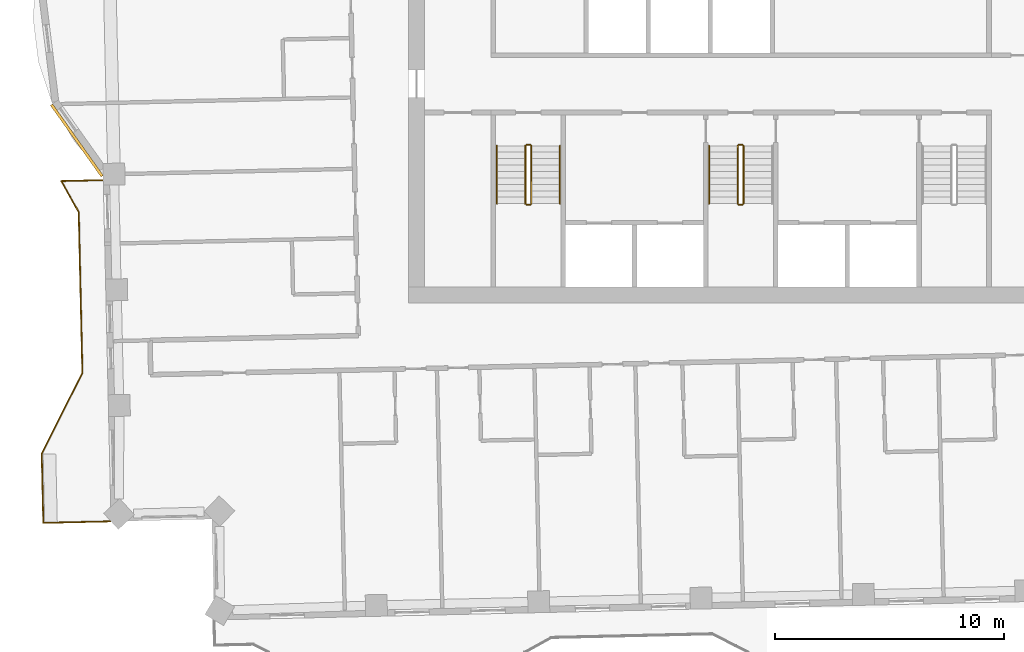
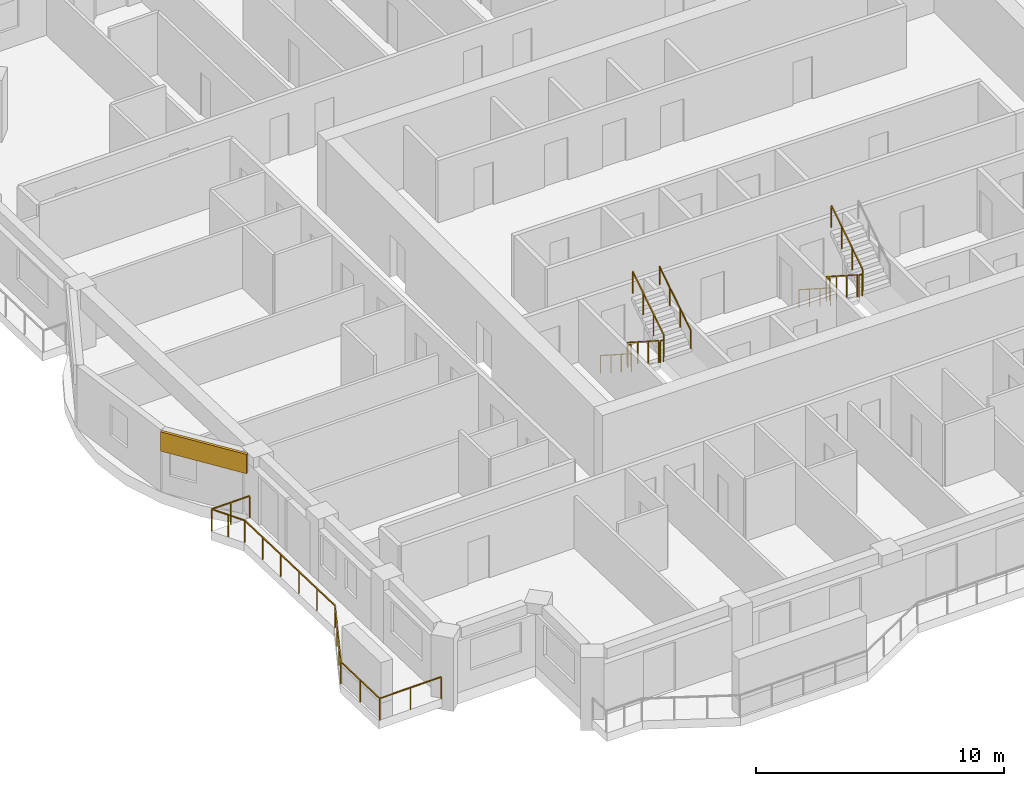
# One storey, part 15 of 18: 12 railings, 1 covering.
"""IFC4 building model written with IfcOpenShell, lengths in metres."""

from ifc_helpers import new_model, si_unit, direction, frame, frame_2d, origin, origin_2d, place, context, subcontext, project, spatial, rectangle, circle, extrude, material, layer, layer_set, type_object, element, save


model = new_model("IFC4")

# Units and contexts
model_context = context("Model", 3, precision=1e-05, world=origin(), true_north=direction((0.0, 1.0)))
body_context = subcontext(model_context, "Body", "Model", "MODEL_VIEW")
ifc_project = project(units=[si_unit("LENGTHUNIT", "METRE"), si_unit("AREAUNIT", "SQUARE_METRE"), si_unit("VOLUMEUNIT", "CUBIC_METRE"), si_unit("PLANEANGLEUNIT", "RADIAN"), si_unit("MASSUNIT", "GRAM", prefix="KILO")], contexts=[model_context])

# Site, building, storey
site_placement = place(None, origin())
site = spatial("IfcSite", under=ifc_project, at=site_placement, CompositionType="ELEMENT")
building_placement = place(site_placement, origin())
building = spatial("IfcBuilding", under=site, at=building_placement, Name="Mangrove Gate Tower", CompositionType="ELEMENT")
storey_placement = place(building_placement, frame((0.0, 0.0, 287.10009765625)))
storey = spatial("IfcBuildingStorey", under=building, at=storey_placement, Name="L73", CompositionType="ELEMENT", Elevation=287.10009765625)

# Railings
ifc_material_1 = material(Name="Stainless steel grade 316 with laminated glass infill", Category="steel")
railing_type_1 = type_object("IfcRailingType", Name="Balcony guard 1100", PredefinedType="GUARDRAIL", material=ifc_material_1)
railing_1_placement = place(storey_placement, frame((-27.839111328125, -6.14501953125, 0.0)))
element("IfcRailing", 1, at=railing_1_placement, inside=storey, type_object=railing_type_1, Name="GUARD L73 W2", PredefinedType="GUARDRAIL", context=body_context, shape_type="SweptSolid", body=[
    extrude(rectangle(XDim=0.048095703125, YDim=0.048095703125, at=origin_2d()), frame((0.0, 0.0, 1.076171875), z_axis=(-0.999736374059, -0.02296045261, 0.0), x_axis=(0.02296045261, -0.999736374059, 0.0)), (0.0, 0.0, 1.0), 1.786376953125),
    extrude(rectangle(XDim=0.048095703125, YDim=0.048095703125, at=origin_2d()), frame((-1.785888671875, -0.041015625, 1.076171875), z_axis=(0.487708700745, -0.873006427936, 0.0), x_axis=(0.873006427936, 0.487708700745, 0.0)), (0.0, 0.0, 1.0), 1.554443359375),
    extrude(rectangle(XDim=0.048095703125, YDim=0.048095703125, at=origin_2d()), frame((-1.02783203125, -1.39794921875, 1.076171875), z_axis=(0.022702393474, -0.999742267452, 0.0), x_axis=(0.999742267452, 0.022702393474, 0.0)), (0.0, 0.0, 1.0), 7.000732421875),
    extrude(rectangle(XDim=0.048095703125, YDim=0.048095703125, at=origin_2d()), frame((-0.868896484375, -8.39697265625, 1.076171875), z_axis=(-0.447312255532, -0.894377854182, 0.0), x_axis=(0.894377854182, -0.447312255532, 0.0)), (0.0, 0.0, 1.0), 3.959228515625),
    extrude(rectangle(XDim=0.048095703125, YDim=0.048095703125, at=origin_2d()), frame((-2.639892578125, -11.93798828125, 1.076171875), z_axis=(0.023031986991, -0.999734728603, 0.0), x_axis=(0.999734728603, 0.023031986991, 0.0)), (0.0, 0.0, 1.0), 2.999755859375),
    extrude(rectangle(XDim=0.048095703125, YDim=0.048095703125, at=origin_2d()), frame((-2.57080078125, -14.93701171875, 1.076171875), z_axis=(0.999743349437, 0.022654696127, 0.0), x_axis=(-0.022654696127, 0.999743349437, 0.0)), (0.0, 0.0, 1.0), 2.90966796875),
    extrude(rectangle(XDim=0.0419921875, YDim=0.0419921875, at=origin_2d()), origin(), (0.0, 0.0, 1.0), 1.052001953125),
    extrude(rectangle(XDim=0.0419921875, YDim=0.0419921875, at=origin_2d()), frame((-0.89306640625, -0.0205078125, 0.0)), (0.0, 0.0, 1.0), 1.052001953125),
    extrude(rectangle(XDim=0.0419921875, YDim=0.0419921875, at=origin_2d()), frame((-1.785888671875, -0.041015625, 0.0)), (0.0, 0.0, 1.0), 1.052001953125),
    extrude(rectangle(XDim=0.0419921875, YDim=0.0419921875, at=origin_2d()), frame((-1.40673828125, -0.719482421875, 0.0)), (0.0, 0.0, 1.0), 1.052001953125),
    extrude(rectangle(XDim=0.0419921875, YDim=0.0419921875, at=origin_2d()), frame((-1.02783203125, -1.39794921875, 0.0)), (0.0, 0.0, 1.0), 1.052001953125),
    extrude(rectangle(XDim=0.0419921875, YDim=0.0419921875, at=origin_2d()), frame((-0.99609375, -2.7978515625, 0.0)), (0.0, 0.0, 1.0), 1.052001953125),
    extrude(rectangle(XDim=0.0419921875, YDim=0.0419921875, at=origin_2d()), frame((-0.96435546875, -4.197509765625, 0.0)), (0.0, 0.0, 1.0), 1.052001953125),
    extrude(rectangle(XDim=0.0419921875, YDim=0.0419921875, at=origin_2d()), frame((-0.932373046875, -5.597412109375, 0.0)), (0.0, 0.0, 1.0), 1.052001953125),
    extrude(rectangle(XDim=0.0419921875, YDim=0.0419921875, at=origin_2d()), frame((-0.900634765625, -6.9970703125, 0.0)), (0.0, 0.0, 1.0), 1.052001953125),
    extrude(rectangle(XDim=0.0419921875, YDim=0.0419921875, at=origin_2d()), frame((-0.868896484375, -8.39697265625, 0.0)), (0.0, 0.0, 1.0), 1.052001953125),
    extrude(rectangle(XDim=0.0419921875, YDim=0.0419921875, at=origin_2d()), frame((-1.459228515625, -9.577392578125, 0.0)), (0.0, 0.0, 1.0), 1.052001953125),
    extrude(rectangle(XDim=0.0419921875, YDim=0.0419921875, at=origin_2d()), frame((-2.049560546875, -10.757568359375, 0.0)), (0.0, 0.0, 1.0), 1.052001953125),
    extrude(rectangle(XDim=0.0419921875, YDim=0.0419921875, at=origin_2d()), frame((-2.639892578125, -11.93798828125, 0.0)), (0.0, 0.0, 1.0), 1.052001953125),
    extrude(rectangle(XDim=0.0419921875, YDim=0.0419921875, at=origin_2d()), frame((-2.60546875, -13.4375, 0.0)), (0.0, 0.0, 1.0), 1.052001953125),
    extrude(rectangle(XDim=0.0419921875, YDim=0.0419921875, at=origin_2d()), frame((-2.57080078125, -14.93701171875, 0.0)), (0.0, 0.0, 1.0), 1.052001953125),
    extrude(rectangle(XDim=0.0419921875, YDim=0.0419921875, at=origin_2d()), frame((-1.1162109375, -14.904052734375, 0.0)), (0.0, 0.0, 1.0), 1.052001953125),
    extrude(rectangle(XDim=0.0419921875, YDim=0.0419921875, at=origin_2d()), frame((0.338134765625, -14.87109375, 0.0)), (0.0, 0.0, 1.0), 1.052001953125),
])
ifc_material_2 = material(Name="Stainless steel 316", Category="steel")
railing_type_2 = type_object("IfcRailingType", Name="Core stair guard 1100", PredefinedType="GUARDRAIL", material=ifc_material_2)
railing_2_placement = place(storey_placement, frame((-9.39990234375, -4.64990234375, 0.179931640625)))
element("IfcRailing", 2, at=railing_2_placement, inside=storey, type_object=railing_type_2, Name="L73 ST1 stair guard 1", PredefinedType="GUARDRAIL", context=body_context, shape_type="SweptSolid", body=[
    extrude(rectangle(XDim=0.048095703125, YDim=0.048095703125, at=origin_2d()), frame((0.0, 0.0, 1.076171875), z_axis=(0.0, -0.841199657755, 0.540724639528), x_axis=(1.0, 0.0, 0.0)), (0.0, 0.0, 1.0), 2.995849609375),
    extrude(rectangle(XDim=0.0419921875, YDim=0.0419921875, at=origin_2d()), origin(), (0.0, 0.0, 1.0), 1.052001953125),
    extrude(rectangle(XDim=0.0419921875, YDim=0.0419921875, at=origin_2d()), frame((0.0, -0.840087890625, 0.5400390625)), (0.0, 0.0, 1.0), 1.052001953125),
    extrude(rectangle(XDim=0.0419921875, YDim=0.0419921875, at=origin_2d()), frame((0.0, -1.679931640625, 1.079833984375)), (0.0, 0.0, 1.0), 1.052001953125),
    extrude(rectangle(XDim=0.0419921875, YDim=0.0419921875, at=origin_2d()), frame((0.0, -2.52001953125, 1.619873046875)), (0.0, 0.0, 1.0), 1.052001953125),
])
railing_3_placement = place(storey_placement, frame((-9.35009765625, -7.219970703125, 1.7998046875)))
element("IfcRailing", 3, at=railing_3_placement, inside=storey, type_object=railing_type_2, Name="L73 ST1 stair guard 2", PredefinedType="GUARDRAIL", context=body_context, shape_type="SweptSolid", body=[
    extrude(rectangle(XDim=0.048095703125, YDim=0.048095703125, at=origin_2d()), frame((0.0, 0.0, 1.076171875), z_axis=(1.0, 0.0, 0.0), x_axis=(0.0, 1.0, 0.0)), (0.0, 0.0, 1.0), 0.150146484375),
    extrude(rectangle(XDim=0.0419921875, YDim=0.0419921875, at=origin_2d()), origin(), (0.0, 0.0, 1.0), 1.052001953125),
    extrude(rectangle(XDim=0.0419921875, YDim=0.0419921875, at=origin_2d()), frame((0.150146484375, 0.0, 0.0)), (0.0, 0.0, 1.0), 1.052001953125),
])
railing_4_placement = place(storey_placement, frame((-9.14990234375, -7.169921875, 1.97998046875)))
element("IfcRailing", 4, at=railing_4_placement, inside=storey, type_object=railing_type_2, Name="L73 ST1 stair guard 3", PredefinedType="GUARDRAIL", context=body_context, shape_type="SweptSolid", body=[
    extrude(rectangle(XDim=0.048095703125, YDim=0.048095703125, at=origin_2d()), frame((0.0, 0.0, 1.076171875), z_axis=(0.0, 0.841199657755, 0.540724639528), x_axis=(-1.0, 0.0, 0.0)), (0.0, 0.0, 1.0), 2.995849609375),
    extrude(rectangle(XDim=0.0419921875, YDim=0.0419921875, at=origin_2d()), origin(), (0.0, 0.0, 1.0), 1.052001953125),
    extrude(rectangle(XDim=0.0419921875, YDim=0.0419921875, at=origin_2d()), frame((0.0, 0.840087890625, 0.5400390625)), (0.0, 0.0, 1.0), 1.052001953125),
    extrude(rectangle(XDim=0.0419921875, YDim=0.0419921875, at=origin_2d()), frame((0.0, 1.679931640625, 1.079833984375)), (0.0, 0.0, 1.0), 1.052001953125),
    extrude(rectangle(XDim=0.0419921875, YDim=0.0419921875, at=origin_2d()), frame((0.0, 2.52001953125, 1.619873046875)), (0.0, 0.0, 1.0), 1.052001953125),
])
railing_5_placement = place(storey_placement, frame((-9.35009765625, -4.60009765625, 0.0)))
element("IfcRailing", 5, at=railing_5_placement, inside=storey, type_object=railing_type_2, Name="L73 ST1 stair guard 4", PredefinedType="GUARDRAIL", context=body_context, shape_type="SweptSolid", body=[
    extrude(rectangle(XDim=0.048095703125, YDim=0.048095703125, at=origin_2d()), frame((0.0, 0.0, 1.076171875), z_axis=(1.0, 0.0, 0.0), x_axis=(0.0, 1.0, 0.0)), (0.0, 0.0, 1.0), 0.150146484375),
    extrude(rectangle(XDim=0.0419921875, YDim=0.0419921875, at=origin_2d()), origin(), (0.0, 0.0, 1.0), 1.052001953125),
    extrude(rectangle(XDim=0.0419921875, YDim=0.0419921875, at=origin_2d()), frame((0.150146484375, 0.0, 0.0)), (0.0, 0.0, 1.0), 1.052001953125),
])
railing_6_placement = place(storey_placement, frame((-0.14990234375, -4.64990234375, 0.179931640625)))
element("IfcRailing", 6, at=railing_6_placement, inside=storey, type_object=railing_type_2, Name="L73 ST2 stair guard 1", PredefinedType="GUARDRAIL", context=body_context, shape_type="SweptSolid", body=[
    extrude(rectangle(XDim=0.048095703125, YDim=0.048095703125, at=origin_2d()), frame((0.0, 0.0, 1.076171875), z_axis=(0.0, -0.841199657755, 0.540724639528), x_axis=(1.0, 0.0, 0.0)), (0.0, 0.0, 1.0), 2.995849609375),
    extrude(rectangle(XDim=0.0419921875, YDim=0.0419921875, at=origin_2d()), origin(), (0.0, 0.0, 1.0), 1.052001953125),
    extrude(rectangle(XDim=0.0419921875, YDim=0.0419921875, at=origin_2d()), frame((0.0, -0.840087890625, 0.5400390625)), (0.0, 0.0, 1.0), 1.052001953125),
    extrude(rectangle(XDim=0.0419921875, YDim=0.0419921875, at=origin_2d()), frame((0.0, -1.679931640625, 1.079833984375)), (0.0, 0.0, 1.0), 1.052001953125),
    extrude(rectangle(XDim=0.0419921875, YDim=0.0419921875, at=origin_2d()), frame((0.0, -2.52001953125, 1.619873046875)), (0.0, 0.0, 1.0), 1.052001953125),
])
railing_7_placement = place(storey_placement, frame((-0.10009765625, -7.219970703125, 1.7998046875)))
element("IfcRailing", 7, at=railing_7_placement, inside=storey, type_object=railing_type_2, Name="L73 ST2 stair guard 2", PredefinedType="GUARDRAIL", context=body_context, shape_type="SweptSolid", body=[
    extrude(rectangle(XDim=0.048095703125, YDim=0.048095703125, at=origin_2d()), frame((0.0, 0.0, 1.076171875), z_axis=(1.0, 0.0, 0.0), x_axis=(0.0, 1.0, 0.0)), (0.0, 0.0, 1.0), 0.150146484375),
    extrude(rectangle(XDim=0.0419921875, YDim=0.0419921875, at=origin_2d()), origin(), (0.0, 0.0, 1.0), 1.052001953125),
    extrude(rectangle(XDim=0.0419921875, YDim=0.0419921875, at=origin_2d()), frame((0.150146484375, 0.0, 0.0)), (0.0, 0.0, 1.0), 1.052001953125),
])
railing_8_placement = place(storey_placement, frame((0.10009765625, -7.169921875, 1.97998046875)))
element("IfcRailing", 8, at=railing_8_placement, inside=storey, type_object=railing_type_2, Name="L73 ST2 stair guard 3", PredefinedType="GUARDRAIL", context=body_context, shape_type="SweptSolid", body=[
    extrude(rectangle(XDim=0.048095703125, YDim=0.048095703125, at=origin_2d()), frame((0.0, 0.0, 1.076171875), z_axis=(0.0, 0.841199657755, 0.540724639528), x_axis=(-1.0, 0.0, 0.0)), (0.0, 0.0, 1.0), 2.995849609375),
    extrude(rectangle(XDim=0.0419921875, YDim=0.0419921875, at=origin_2d()), origin(), (0.0, 0.0, 1.0), 1.052001953125),
    extrude(rectangle(XDim=0.0419921875, YDim=0.0419921875, at=origin_2d()), frame((0.0, 0.840087890625, 0.5400390625)), (0.0, 0.0, 1.0), 1.052001953125),
    extrude(rectangle(XDim=0.0419921875, YDim=0.0419921875, at=origin_2d()), frame((0.0, 1.679931640625, 1.079833984375)), (0.0, 0.0, 1.0), 1.052001953125),
    extrude(rectangle(XDim=0.0419921875, YDim=0.0419921875, at=origin_2d()), frame((0.0, 2.52001953125, 1.619873046875)), (0.0, 0.0, 1.0), 1.052001953125),
])
railing_9_placement = place(storey_placement, frame((-0.10009765625, -4.60009765625, 0.0)))
element("IfcRailing", 9, at=railing_9_placement, inside=storey, type_object=railing_type_2, Name="L73 ST2 stair guard 4", PredefinedType="GUARDRAIL", context=body_context, shape_type="SweptSolid", body=[
    extrude(rectangle(XDim=0.048095703125, YDim=0.048095703125, at=origin_2d()), frame((0.0, 0.0, 1.076171875), z_axis=(1.0, 0.0, 0.0), x_axis=(0.0, 1.0, 0.0)), (0.0, 0.0, 1.0), 0.150146484375),
    extrude(rectangle(XDim=0.0419921875, YDim=0.0419921875, at=origin_2d()), origin(), (0.0, 0.0, 1.0), 1.052001953125),
    extrude(rectangle(XDim=0.0419921875, YDim=0.0419921875, at=origin_2d()), frame((0.150146484375, 0.0, 0.0)), (0.0, 0.0, 1.0), 1.052001953125),
])
ifc_material_3 = material(Name="Stainless steel 316", Category="steel")
railing_type_3 = type_object("IfcRailingType", Name="Core stair handrail 900", PredefinedType="HANDRAIL", material=ifc_material_3)
railing_10_placement = place(storey_placement, frame((-10.64990234375, -4.64990234375, 0.179931640625)))
element("IfcRailing", 10, at=railing_10_placement, inside=storey, type_object=railing_type_3, Name="L73 ST1 stair handrail 1", PredefinedType="HANDRAIL", context=body_context, shape_type="SweptSolid", body=[
    extrude(circle(Radius=0.02392578125, at=origin_2d()), frame((0.0, 0.0, 0.8759765625), z_axis=(0.0, -0.841199657755, 0.540724639528), x_axis=(1.0, 0.0, 0.0)), (0.0, 0.0, 1.0), 2.995849609375),
    extrude(circle(Radius=0.02099609375, at=origin_2d()), origin(), (0.0, 0.0, 1.0), 0.851806640625),
    extrude(circle(Radius=0.02099609375, at=origin_2d()), frame((0.0, -0.840087890625, 0.5400390625)), (0.0, 0.0, 1.0), 0.851806640625),
    extrude(circle(Radius=0.02099609375, at=origin_2d()), frame((0.0, -1.679931640625, 1.079833984375)), (0.0, 0.0, 1.0), 0.851806640625),
    extrude(circle(Radius=0.02099609375, at=origin_2d()), frame((0.0, -2.52001953125, 1.619873046875)), (0.0, 0.0, 1.0), 0.851806640625),
])
railing_11_placement = place(storey_placement, frame((-7.89990234375, -7.169921875, 1.97998046875)))
element("IfcRailing", 11, at=railing_11_placement, inside=storey, type_object=railing_type_3, Name="L73 ST1 stair handrail 2", PredefinedType="HANDRAIL", context=body_context, shape_type="SweptSolid", body=[
    extrude(circle(Radius=0.02392578125, at=origin_2d()), frame((0.0, 0.0, 0.8759765625), z_axis=(0.0, 0.841199657755, 0.540724639528), x_axis=(-1.0, 0.0, 0.0)), (0.0, 0.0, 1.0), 2.995849609375),
    extrude(circle(Radius=0.02099609375, at=origin_2d()), origin(), (0.0, 0.0, 1.0), 0.851806640625),
    extrude(circle(Radius=0.02099609375, at=origin_2d()), frame((0.0, 0.840087890625, 0.5400390625)), (0.0, 0.0, 1.0), 0.851806640625),
    extrude(circle(Radius=0.02099609375, at=origin_2d()), frame((0.0, 1.679931640625, 1.079833984375)), (0.0, 0.0, 1.0), 0.851806640625),
    extrude(circle(Radius=0.02099609375, at=origin_2d()), frame((0.0, 2.52001953125, 1.619873046875)), (0.0, 0.0, 1.0), 0.851806640625),
])
railing_12_placement = place(storey_placement, frame((-1.39990234375, -4.64990234375, 0.179931640625)))
element("IfcRailing", 12, at=railing_12_placement, inside=storey, type_object=railing_type_3, Name="L73 ST2 stair handrail 1", PredefinedType="HANDRAIL", context=body_context, shape_type="SweptSolid", body=[
    extrude(circle(Radius=0.02392578125, at=origin_2d()), frame((0.0, 0.0, 0.8759765625), z_axis=(0.0, -0.841199657755, 0.540724639528), x_axis=(1.0, 0.0, 0.0)), (0.0, 0.0, 1.0), 2.995849609375),
    extrude(circle(Radius=0.02099609375, at=origin_2d()), origin(), (0.0, 0.0, 1.0), 0.851806640625),
    extrude(circle(Radius=0.02099609375, at=origin_2d()), frame((0.0, -0.840087890625, 0.5400390625)), (0.0, 0.0, 1.0), 0.851806640625),
    extrude(circle(Radius=0.02099609375, at=origin_2d()), frame((0.0, -1.679931640625, 1.079833984375)), (0.0, 0.0, 1.0), 0.851806640625),
    extrude(circle(Radius=0.02099609375, at=origin_2d()), frame((0.0, -2.52001953125, 1.619873046875)), (0.0, 0.0, 1.0), 0.851806640625),
])

# Covering
ifc_material_4 = material(Name="Limestone", Category="masonry")
ifc_layer_1 = layer(ifc_material_4, 0.0400390625, Name="Limestone cladding")
ifc_material_5 = material(Name="Stainless steel anchors and cavity", Category="steel")
ifc_layer_2 = layer(ifc_material_5, 0.080078125, Name="Fixing cavity")
ifc_layer_set = layer_set([ifc_layer_1, ifc_layer_2], Name="Joint fascia cladding 120")
covering_type = type_object("IfcCoveringType", Name="Joint fascia cladding 120", PredefinedType="CLADDING", material=ifc_layer_set)
covering_placement = place(storey_placement, frame((-30.053955078125, -2.85888671875, 2.099853515625), z_axis=(0.0, 0.0, 1.0), x_axis=(0.578137942148, -0.815939041748, 0.0)))
element("IfcCovering", 13, at=covering_placement, inside=storey, type_object=covering_type, Name="STONE FASCIA L73 W9.L2", PredefinedType="CLADDING", context=body_context, shape_type="SweptSolid", body=[
    extrude(rectangle(XDim=3.819091796875, YDim=0.1201171875, at=frame_2d((1.90966796875, 0.0))), origin(), (0.0, 0.0, 1.0), 0.949951171875),
])

save(model, "model.ifc")
